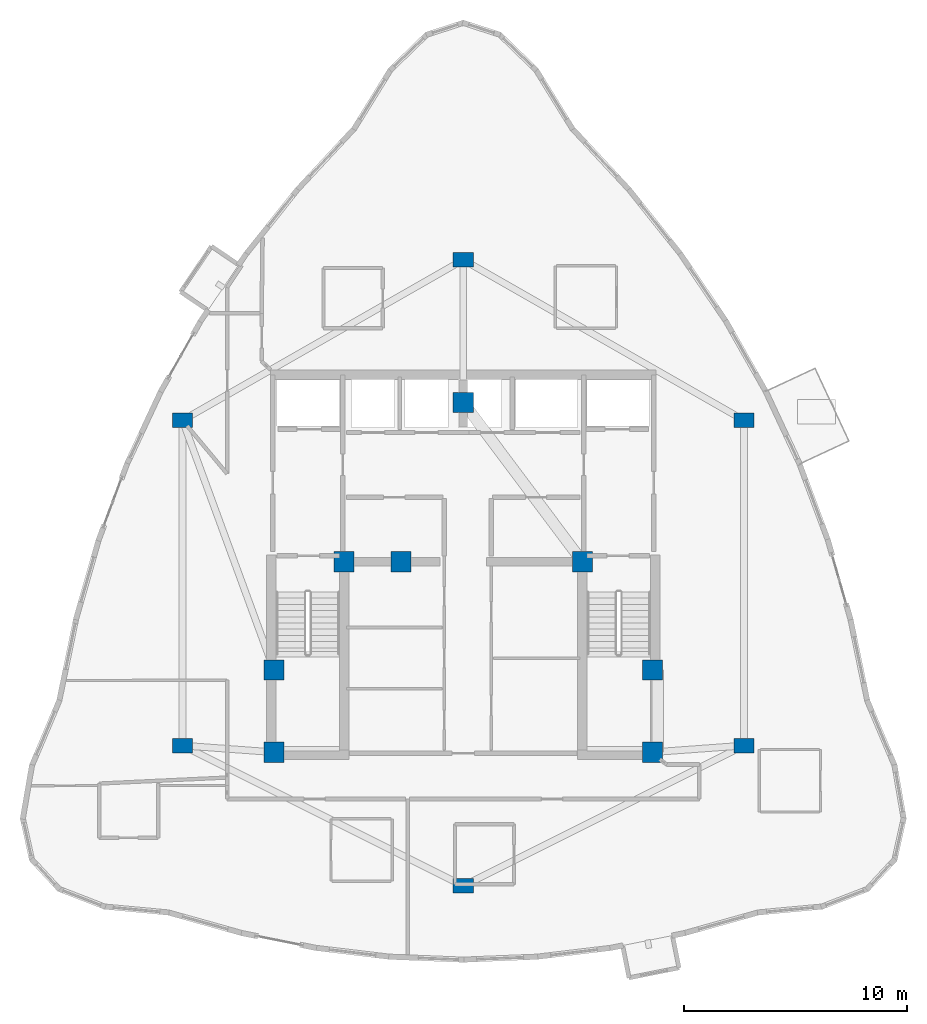
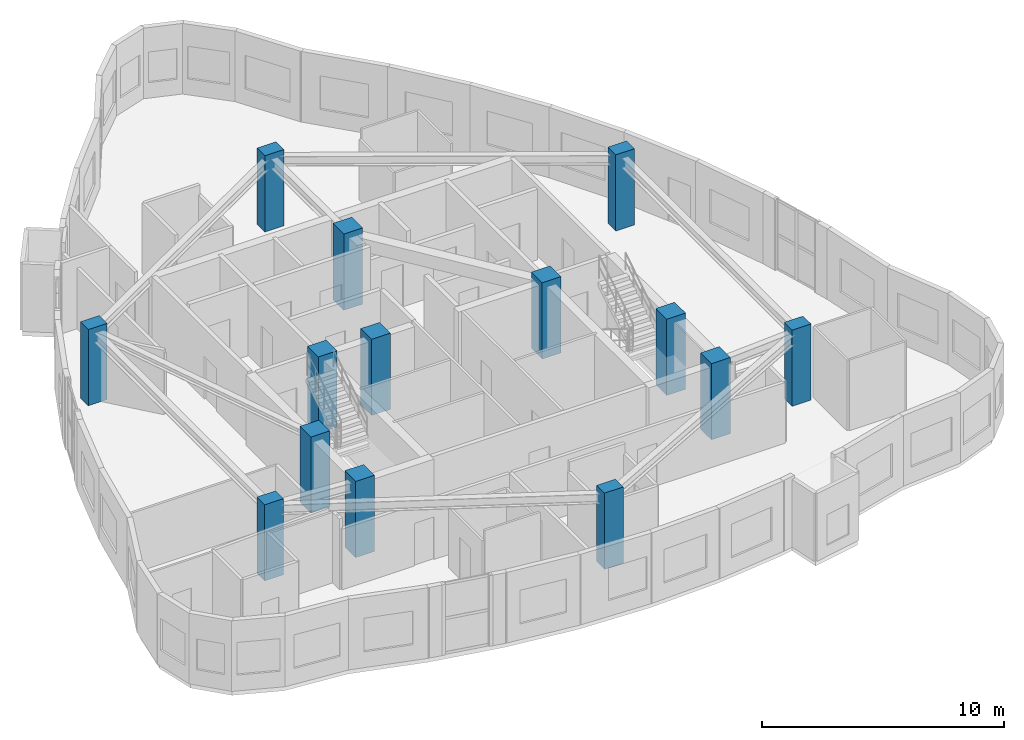
# One storey, part 1 of 16: 14 columns.
"""IFC4 building model written with IfcOpenShell, lengths in metres."""

import ifcopenshell
import ifcopenshell.guid

model = None  # the IFC model being written
_history = None  # IfcOwnerHistory: only IFC2X3 demands one
_inside = {}  # id of a spatial element -> (the spatial element, [elements in it])
_under = {}  # id of a project, library or spatial element -> (it, [spatial elements below it])
_declared = {}  # id of a project -> (the project, [libraries it declares])
_typed = {}  # id of a type object -> (the type object, [elements of that type])
_made_of = {}  # id of a material, layer set ... -> (it, [elements and type objects made of it])


def new_model(schema):
    """Start an empty IFC model of exactly this schema.

    Asked for "IFC4X3", IfcOpenShell would pick the latest addendum, in which some entities
    have other attributes; the version numbers below select the first issue.
    IFC2X3 requires an IfcOwnerHistory on every rooted entity: one is made here for all.
    """
    global model, _history
    if schema == "IFC4X3":
        model = ifcopenshell.file(schema_version=(4, 3, 0, 0))
    else:
        model = ifcopenshell.file(schema=schema)
    _inside.clear()
    _under.clear()
    _declared.clear()
    _typed.clear()
    _made_of.clear()
    _history = None
    if model.schema == "IFC2X3":
        org = make("IfcOrganization", Name="unknown")
        user = make(
            "IfcPersonAndOrganization",
            ThePerson=make("IfcPerson", FamilyName="unknown"),
            TheOrganization=org,
        )
        app = make(
            "IfcApplication",
            ApplicationDeveloper=org,
            Version="unknown",
            ApplicationFullName="unknown",
            ApplicationIdentifier="unknown",
        )
        _history = make(
            "IfcOwnerHistory",
            OwningUser=user,
            OwningApplication=app,
            ChangeAction="ADDED",
            CreationDate=0,
        )
    return model


def make(cls, **values):
    """One entity of the class cls with the attributes given. An attribute that is None is left unset."""
    return model.create_entity(
        cls, **{name: value for name, value in values.items() if value is not None}
    )


def rooted(cls, **values):
    """An entity with a GlobalId (a new one), such as an element, a storey or a relation."""
    return make(cls, GlobalId=ifcopenshell.guid.new(), OwnerHistory=_history, **values)


def si_unit(unit_type, name, prefix=None):
    """IfcSIUnit, for example si_unit("LENGTHUNIT", "METRE", prefix="MILLI")."""
    return make("IfcSIUnit", UnitType=unit_type, Prefix=prefix, Name=name)


def assignment(units):
    """IfcUnitAssignment: the units of a project."""
    return None if units is None else make("IfcUnitAssignment", Units=units)


def point(xyz):
    """IfcCartesianPoint."""
    return None if xyz is None else make("IfcCartesianPoint", Coordinates=xyz)


def direction(xyz):
    """IfcDirection."""
    return None if xyz is None else make("IfcDirection", DirectionRatios=xyz)


def frame(location, z_axis=None, x_axis=None):
    """IfcAxis2Placement3D, a coordinate frame: its origin and axes. An axis left out is left unset."""
    return make(
        "IfcAxis2Placement3D",
        Location=point(location),
        Axis=direction(z_axis),
        RefDirection=direction(x_axis),
    )


def frame_2d(location, x_axis=None):
    """IfcAxis2Placement2D, a coordinate frame in the plane: its origin and x axis."""
    return make(
        "IfcAxis2Placement2D", Location=point(location), RefDirection=direction(x_axis)
    )


def origin():
    """The frame at (0, 0, 0) with its axes left unset."""
    return frame((0.0, 0.0, 0.0))


def origin_2d():
    """The frame at (0, 0) in the plane with its x axis left unset."""
    return frame_2d((0.0, 0.0))


def place(relative_to, where):
    """IfcLocalPlacement: puts the frame where relative to a parent placement (None: the world)."""
    return make(
        "IfcLocalPlacement", PlacementRelTo=relative_to, RelativePlacement=where
    )


def context(
    kind, dimensions, precision=None, world=None, true_north=None, identifier=None
):
    """IfcGeometricRepresentationContext, for example the 3D "Model" context."""
    return make(
        "IfcGeometricRepresentationContext",
        ContextIdentifier=identifier,
        ContextType=kind,
        CoordinateSpaceDimension=dimensions,
        Precision=precision,
        WorldCoordinateSystem=world,
        TrueNorth=true_north,
    )


def subcontext(parent, identifier, kind, view, scale=None):
    """IfcGeometricRepresentationSubContext, for example "Body" below "Model"."""
    return make(
        "IfcGeometricRepresentationSubContext",
        ContextIdentifier=identifier,
        ContextType=kind,
        ParentContext=parent,
        TargetScale=scale,
        TargetView=view,
    )


def project(units=None, contexts=None):
    """IfcProject with its units and contexts."""
    return rooted(
        "IfcProject",
        Name="project",
        RepresentationContexts=contexts,
        UnitsInContext=assignment(units),
    )


def spatial(cls, under=None, at=None, **own):
    """A site, building, storey or space (cls), placed at a placement, below another one or the project."""
    s = rooted(cls, ObjectPlacement=at, **own)
    if under is not None:
        _under.setdefault(under.id(), (under, []))[1].append(s)
    return s


def profile(cls, at=None, kind="AREA", **sizes):
    """A parametric profile (cls). Its sizes go by their IFC names, for example OverallWidth=200.0."""
    return make(cls, ProfileType=kind, Position=at, **sizes)


def rectangle(**sizes):
    """IfcRectangleProfileDef."""
    return profile("IfcRectangleProfileDef", **sizes)


def extrude(swept, where, along, depth):
    """IfcExtrudedAreaSolid: the profile swept, set in the frame where, extruded along a direction by depth."""
    return make(
        "IfcExtrudedAreaSolid",
        SweptArea=swept,
        Position=where,
        ExtrudedDirection=direction(along),
        Depth=depth,
    )


def shape(context_of_items, identifier, shape_type, items):
    """IfcShapeRepresentation: the items that make up one representation, for example the "Body"."""
    return make(
        "IfcShapeRepresentation",
        ContextOfItems=context_of_items,
        RepresentationIdentifier=identifier,
        RepresentationType=shape_type,
        Items=items,
    )


def material(Name=None, Category=None):
    """IfcMaterial."""
    return make("IfcMaterial", Name=Name, Category=Category)


def material_profile(
    of_material, cross_section, Name=None, Category=None, Priority=None
):
    """IfcMaterialProfile: a cross section and its material."""
    return make(
        "IfcMaterialProfile",
        Name=Name,
        Material=of_material,
        Profile=cross_section,
        Priority=Priority,
        Category=Category,
    )


def profile_set(profiles, Name=None, composite=None):
    """IfcMaterialProfileSet."""
    return make(
        "IfcMaterialProfileSet",
        Name=Name,
        MaterialProfiles=profiles,
        CompositeProfile=composite,
    )


def made_of(thing, what):
    """Note that an element or type object is made of a material, layer set ...; save() writes the relation."""
    if what is not None:
        _made_of.setdefault(what.id(), (what, []))[1].append(thing)
    return thing


def type_object(cls, material=None, **own):
    """A type object (cls), such as IfcWallType, which elements share."""
    return made_of(rooted(cls, **own), material)


def element(
    cls,
    number,
    at=None,
    inside=None,
    cuts=None,
    type_object=None,
    material=None,
    context=None,
    identifier="Body",
    shape_type=None,
    held_by="IfcProductDefinitionShape",
    body=None,
    shapes=None,
    **own,
):
    """One element of the class cls, such as IfcWall. Its Tag is "e" and its number.

    at: its placement. inside: the storey or other place that contains it. cuts: it is an
    opening in that element (IfcRelVoidsElement). A single representation is given by context,
    identifier, shape_type and body (its items); several are given by shapes. held_by: the class
    of the entity that holds the representations. save() writes the other relations.
    """
    e = rooted(cls, Tag="e%d" % number, ObjectPlacement=at, **own)
    if body is not None:
        shapes = [shape(context, identifier, shape_type, body)]
    if shapes is not None:
        e.Representation = make(held_by, Representations=shapes)
    if inside is not None:
        _inside.setdefault(inside.id(), (inside, []))[1].append(e)
    if cuts is not None:
        rooted(
            "IfcRelVoidsElement", RelatingBuildingElement=cuts, RelatedOpeningElement=e
        )
    if type_object is not None:
        _typed.setdefault(type_object.id(), (type_object, []))[1].append(e)
    return made_of(e, material)


def aggregate(whole, parts):
    """IfcRelAggregates: a whole, such as a stair, and the parts it consists of."""
    return rooted("IfcRelAggregates", RelatingObject=whole, RelatedObjects=parts)


def save(model, path):
    """Write the relations noted so far, then the file.

    IfcRelAggregates (storeys below a building ...), IfcRelContainedInSpatialStructure (elements
    in a storey), IfcRelDefinesByType, IfcRelAssociatesMaterial and IfcRelDeclares: one each for
    every whole, place, type object, material and project.
    """
    for whole, parts in _under.values():
        aggregate(whole, parts)
    for where, things in _inside.values():
        rooted(
            "IfcRelContainedInSpatialStructure",
            RelatedElements=things,
            RelatingStructure=where,
        )
    for kind, things in _typed.values():
        rooted("IfcRelDefinesByType", RelatedObjects=things, RelatingType=kind)
    for what, things in _made_of.values():
        rooted("IfcRelAssociatesMaterial", RelatedObjects=things, RelatingMaterial=what)
    for by, libraries in _declared.values():
        rooted("IfcRelDeclares", RelatingContext=by, RelatedDefinitions=libraries)
    model.write(path)


model = new_model("IFC4")

# Units and contexts
model_context = context("Model", 3, precision=1e-05, world=origin(), true_north=direction((0.0, 1.0)))
body_context = subcontext(model_context, "Body", "Model", "MODEL_VIEW")
ifc_project = project(units=[si_unit("LENGTHUNIT", "METRE"), si_unit("AREAUNIT", "SQUARE_METRE"), si_unit("VOLUMEUNIT", "CUBIC_METRE"), si_unit("PLANEANGLEUNIT", "RADIAN"), si_unit("MASSUNIT", "GRAM", prefix="KILO")], contexts=[model_context])

# Site, building, storey
site_placement = place(None, origin())
site = spatial("IfcSite", under=ifc_project, at=site_placement, CompositionType="ELEMENT")
building_placement = place(site_placement, origin())
building = spatial("IfcBuilding", under=site, at=building_placement, Name="Miruveldt Soraemaru", CompositionType="ELEMENT")
storey_placement = place(building_placement, frame((0.0, 0.0, 271.25)))
storey = spatial("IfcBuildingStorey", under=building, at=storey_placement, Name="L74", CompositionType="ELEMENT", Elevation=271.25)

# Columns
ifc_material = material(Name="Concrete C50/60 (50 MPa)", Category="concrete")
ifc_material_profile_1 = material_profile(ifc_material, rectangle(XDim=0.89990234375, YDim=0.89990234375, at=origin_2d()), Name="Concrete C50/60 (50 MPa)", Category="concrete")
ifc_profile_set_1 = profile_set([ifc_material_profile_1], Name="Concrete C50/60 (50 MPa)")
column_type_1 = type_object("IfcColumnType", Name="COL-CORE-900", PredefinedType="COLUMN", material=ifc_profile_set_1)
for number, where, z_axis, x_axis, name in (
    (1, (35.5, 35.5, 0.0), (0.0, 0.0, 1.0), (1.0, 0.0, 0.0), "L74 Structural Column CC1"),
    (2, (38.64990234375, 44.050048828125, 0.0), (0.0, 0.0, 1.0), (1.0, 0.0, 0.0), "L74 Structural Column CC2"),
    (3, (52.5, 35.5, 0.0), (0.0, 0.0, 1.0), (1.0, 0.0, 0.0), "L74 Structural Column CC3"),
    (4, (52.5, 39.199951171875, 0.0), (0.0, 0.0, 1.0), (1.0, 0.0, 0.0), "L74 Structural Column CC4"),
    (5, (49.35009765625, 44.050048828125, 0.0), (0.0, 0.0, 1.0), (1.0, 0.0, 0.0), "L74 Structural Column CC5"),
    (6, (44.0, 51.199951171875, 0.0), (0.0, 0.0, 1.0), (1.0, 0.0, 0.0), "L74 Structural Column CC6"),
    (7, (35.5, 39.199951171875, 0.0), (0.0, 0.0, 1.0), (1.0, 0.0, 0.0), "L74 Structural Column CC7"),
    (8, (41.199951171875, 44.050048828125, 0.0), (0.0, 0.0, 1.0), (1.0, 0.0, 0.0), "L74 Structural Column CC8"),
):
    element("IfcColumn", number, at=place(storey_placement, frame(where, z_axis=z_axis, x_axis=x_axis)), inside=storey, type_object=column_type_1, Name=name, PredefinedType="COLUMN", context=body_context, shape_type="SweptSolid", body=[
        extrude(rectangle(XDim=0.89990234375, YDim=0.89990234375, at=origin_2d()), origin(), (0.0, 0.0, 1.0), 3.85009765625),
    ])
ifc_material_profile_2 = material_profile(ifc_material, rectangle(XDim=0.89990234375, YDim=0.64990234375, at=origin_2d()), Name="Concrete C50/60 (50 MPa)", Category="concrete")
ifc_profile_set_2 = profile_set([ifc_material_profile_2], Name="Concrete C50/60 (50 MPa)")
column_type_2 = type_object("IfcColumnType", Name="COL-TW-Z4", PredefinedType="COLUMN", material=ifc_profile_set_2)
for number, where, z_axis, x_axis, name in (
    (9, (44.0, 57.60009765625, 0.0), (0.0, 0.0, 1.0), (1.0, 0.0, 0.0), "L74 Structural Column IR01"),
    (10, (56.60009765625, 50.39990234375, 0.0), (0.0, 0.0, 1.0), (1.0, 0.0, 0.0), "L74 Structural Column IR02"),
    (11, (56.60009765625, 35.800048828125, 0.0), (0.0, 0.0, 1.0), (1.0, 0.0, 0.0), "L74 Structural Column IR03"),
    (12, (44.0, 29.5, 0.0), (0.0, 0.0, 1.0), (1.0, 0.0, 0.0), "L74 Structural Column IR04"),
    (13, (31.39990234375, 35.800048828125, 0.0), (0.0, 0.0, 1.0), (1.0, 0.0, 0.0), "L74 Structural Column IR05"),
    (14, (31.39990234375, 50.39990234375, 0.0), (0.0, 0.0, 1.0), (1.0, 0.0, 0.0), "L74 Structural Column IR06"),
):
    element("IfcColumn", number, at=place(storey_placement, frame(where, z_axis=z_axis, x_axis=x_axis)), inside=storey, type_object=column_type_2, Name=name, PredefinedType="COLUMN", context=body_context, shape_type="SweptSolid", body=[
        extrude(rectangle(XDim=0.89990234375, YDim=0.64990234375, at=origin_2d()), origin(), (0.0, 0.0, 1.0), 3.85009765625),
    ])

save(model, "model.ifc")
